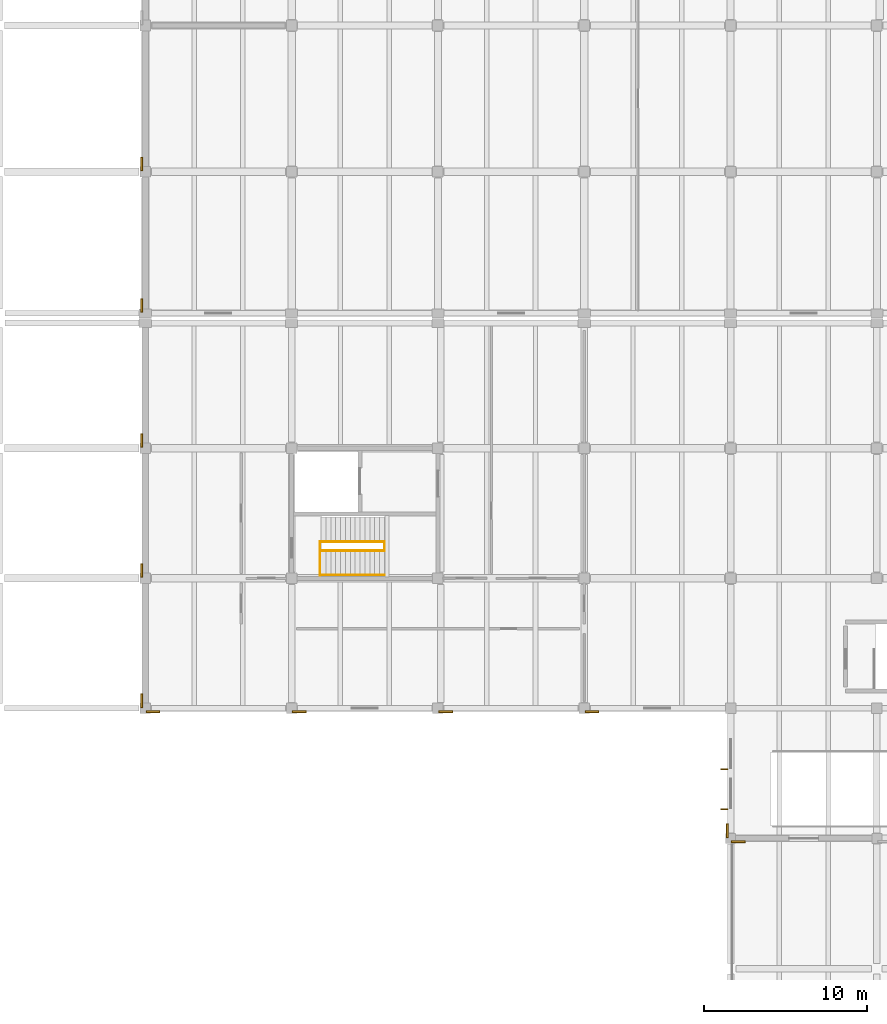
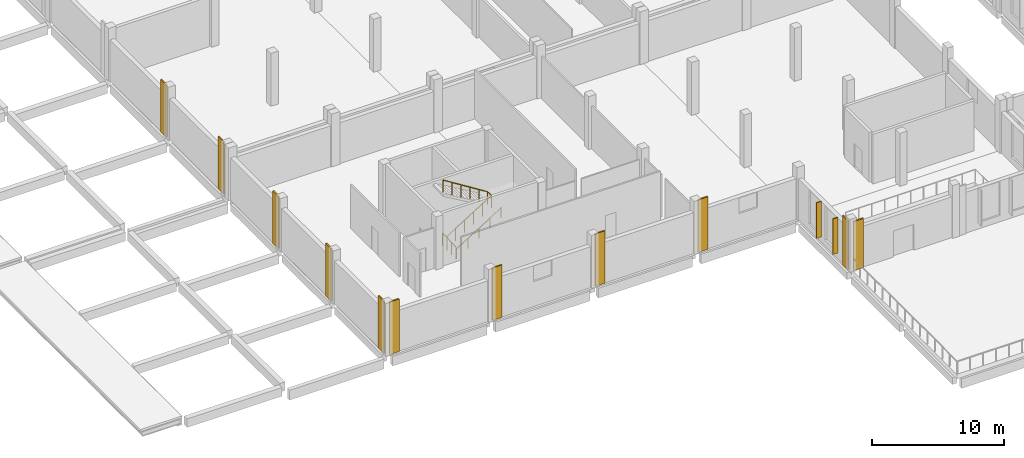
# One storey, part 96 of 110: 11 coverings, 5 railings, 2 shading devices.
"""IFC4 building model written with IfcOpenShell, lengths in metres."""

from ifc_helpers import new_model, si_unit, direction, frame, origin, origin_2d, place, context, subcontext, project, spatial, rectangle, circle, extrude, material, layer, layer_set, type_object, element, save


model = new_model("IFC4")

# Units and contexts
model_context = context("Model", 3, precision=1e-05, world=origin(), true_north=direction((0.0, 1.0)))
body_context = subcontext(model_context, "Body", "Model", "MODEL_VIEW")
ifc_project = project(units=[si_unit("LENGTHUNIT", "METRE"), si_unit("AREAUNIT", "SQUARE_METRE"), si_unit("VOLUMEUNIT", "CUBIC_METRE"), si_unit("PLANEANGLEUNIT", "RADIAN"), si_unit("MASSUNIT", "GRAM", prefix="KILO")], contexts=[model_context])

# Site, building, storey
site_placement = place(None, origin())
site = spatial("IfcSite", under=ifc_project, at=site_placement, CompositionType="ELEMENT")
building_placement = place(site_placement, origin())
building = spatial("IfcBuilding", under=site, at=building_placement, Name="Zacnel Wholesale Market", CompositionType="ELEMENT")
storey_placement = place(building_placement, frame((0.0, 0.0, 6.300048828125)))
storey = spatial("IfcBuildingStorey", under=building, at=storey_placement, Name="L02", CompositionType="ELEMENT", Elevation=6.300048828125)

# Coverings
ifc_material_1 = material(Name="Honed Yucatan Maya cream limestone", Category="masonry")
ifc_layer = layer(ifc_material_1, 0.090087890625)
ifc_layer_set = layer_set([ifc_layer], Name="Honed Yucatan Maya cream limestone")
covering_type = type_object("IfcCoveringType", Name="COV-CLAD-FRET", PredefinedType="CLADDING", material=ifc_layer_set)
for number, where, z_axis, x_axis, name in (
    (1, (18.47998046875, 23.7900390625, 0.02001953125), (0.0, 0.0, 1.0), (1.0, 0.0, 0.0), "Fluted Mayan-Deco limestone pilaster L02-0084"),
    (2, (27.47998046875, 23.7900390625, 0.02001953125), (0.0, 0.0, 1.0), (1.0, 0.0, 0.0), "Fluted Mayan-Deco limestone pilaster L02-0085"),
    (3, (36.47998046875, 23.7900390625, 0.02001953125), (0.0, 0.0, 1.0), (1.0, 0.0, 0.0), "Fluted Mayan-Deco limestone pilaster L02-0086"),
    (4, (45.47998046875, 23.7900390625, 0.02001953125), (0.0, 0.0, 1.0), (1.0, 0.0, 0.0), "Fluted Mayan-Deco limestone pilaster L02-0087"),
    (5, (17.7900390625, 24.47998046875, 0.02001953125), (0.0, 0.0, 1.0), (0.0, 1.0, 0.0), "Fluted Mayan-Deco limestone pilaster L02-0088"),
    (6, (17.7900390625, 32.47998046875, 0.02001953125), (0.0, 0.0, 1.0), (0.0, 1.0, 0.0), "Fluted Mayan-Deco limestone pilaster L02-0089"),
    (7, (17.7900390625, 40.47998046875, 0.02001953125), (0.0, 0.0, 1.0), (0.0, 1.0, 0.0), "Fluted Mayan-Deco limestone pilaster L02-0090"),
    (8, (17.7900390625, 48.780029296875, 0.02001953125), (0.0, 0.0, 1.0), (0.0, 1.0, 0.0), "Fluted Mayan-Deco limestone pilaster L02-0091"),
    (9, (17.7900390625, 57.47998046875, 0.02001953125), (0.0, 0.0, 1.0), (0.0, 1.0, 0.0), "Fluted Mayan-Deco limestone pilaster L02-0092"),
):
    element("IfcCovering", number, at=place(storey_placement, frame(where, z_axis=z_axis, x_axis=x_axis)), inside=storey, type_object=covering_type, Name=name, PredefinedType="CLADDING", context=body_context, shape_type="SweptSolid", body=[
        extrude(rectangle(XDim=0.85009765625, YDim=0.1201171875, at=origin_2d()), origin(), (0.0, 0.0, 1.0), 4.860107421875),
    ])
for number, where, z_axis, x_axis, name in (
    (10, (54.47998046875, 15.7900390625, 0.02001953125), (0.0, 0.0, 1.0), (1.0, 0.0, 0.0), "Fluted Mayan-Deco limestone pilaster L02-0106"),
    (11, (53.7900390625, 16.47998046875, 0.02001953125), (0.0, 0.0, 1.0), (0.0, 1.0, 0.0), "Fluted Mayan-Deco limestone pilaster L02-0108"),
):
    element("IfcCovering", number, at=place(storey_placement, frame(where, z_axis=z_axis, x_axis=x_axis)), inside=storey, type_object=covering_type, Name=name, PredefinedType="CLADDING", context=body_context, shape_type="SweptSolid", body=[
        extrude(rectangle(XDim=0.85009765625, YDim=0.1201171875, at=origin_2d()), origin(), (0.0, 0.0, 1.0), 4.56005859375),
    ])

# Railings
ifc_material_2 = material(Name="Galvanized steel", Category="steel")
railing_type_1 = type_object("IfcRailingType", Name="RAL-HANDRAIL-920", PredefinedType="HANDRAIL", material=ifc_material_2)
railing_1_placement = place(storey_placement, frame((28.81005859375, 32.2099609375, 0.0)))
element("IfcRailing", 12, at=railing_1_placement, inside=storey, type_object=railing_type_1, Name="Stair ST-08 wall handrail", PredefinedType="HANDRAIL", context=body_context, shape_type="SweptSolid", body=[
    extrude(circle(Radius=0.02099609375, at=origin_2d()), frame((0.0, 0.0, 0.89892578125), z_axis=(0.846775046443, 0.0, 0.531951145052), x_axis=(0.0, 1.0, 0.0)), (0.0, 0.0, 1.0), 4.605712890625),
    extrude(circle(Radius=0.01806640625, at=origin_2d()), origin(), (0.0, 0.0, 1.0), 0.8779296875),
    extrude(circle(Radius=0.01806640625, at=origin_2d()), frame((0.97509765625, 0.0, 0.612548828125)), (0.0, 0.0, 1.0), 0.8779296875),
    extrude(circle(Radius=0.01806640625, at=origin_2d()), frame((1.949951171875, 0.0, 1.22509765625)), (0.0, 0.0, 1.0), 0.8779296875),
    extrude(circle(Radius=0.01806640625, at=origin_2d()), frame((2.9248046875, 0.0, 1.83740234375)), (0.0, 0.0, 1.0), 0.8779296875),
    extrude(circle(Radius=0.01806640625, at=origin_2d()), frame((3.89990234375, 0.0, 2.449951171875)), (0.0, 0.0, 1.0), 0.8779296875),
])
ifc_material_3 = material(Name="Galvanized steel", Category="steel")
railing_type_2 = type_object("IfcRailingType", Name="RAL-STAIR-GD1150", PredefinedType="BALUSTRADE", material=ifc_material_3)
railing_2_placement = place(storey_placement, frame((28.75, 32.18994140625, 0.0)))
element("IfcRailing", 13, at=railing_2_placement, inside=storey, type_object=railing_type_2, Name="Stair balustrade INT-STAIR-ST-07-GDWELL-1", PredefinedType="BALUSTRADE", context=body_context, shape_type="SweptSolid", body=[
    extrude(circle(Radius=0.02392578125, at=origin_2d()), frame((0.0, 0.0, 1.1259765625), z_axis=(0.0, 1.0, 0.0), x_axis=(-1.0, 0.0, 0.0)), (0.0, 0.0, 1.0), 2.06005859375),
    extrude(circle(Radius=0.02099609375, at=origin_2d()), origin(), (0.0, 0.0, 1.0), 1.101806640625),
    extrude(circle(Radius=0.02099609375, at=origin_2d()), frame((0.0, 0.686767578125, 0.0)), (0.0, 0.0, 1.0), 1.101806640625),
    extrude(circle(Radius=0.02099609375, at=origin_2d()), frame((0.0, 1.373291015625, 0.0)), (0.0, 0.0, 1.0), 1.101806640625),
    extrude(circle(Radius=0.02099609375, at=origin_2d()), frame((0.0, 2.06005859375, 0.0)), (0.0, 0.0, 1.0), 1.101806640625),
])
railing_3_placement = place(storey_placement, frame((28.81005859375, 33.699951171875, 0.0)))
element("IfcRailing", 14, at=railing_3_placement, inside=storey, type_object=railing_type_2, Name="Stair balustrade INT-STAIR-ST-08-GDIN-1", PredefinedType="BALUSTRADE", context=body_context, shape_type="SweptSolid", body=[
    extrude(circle(Radius=0.02392578125, at=origin_2d()), frame((0.0, 0.0, 1.1259765625), z_axis=(0.846775046443, 0.0, 0.531951145052), x_axis=(0.0, 1.0, 0.0)), (0.0, 0.0, 1.0), 4.605712890625),
    extrude(circle(Radius=0.02099609375, at=origin_2d()), origin(), (0.0, 0.0, 1.0), 1.101806640625),
    extrude(circle(Radius=0.02099609375, at=origin_2d()), frame((0.780029296875, 0.0, 0.489990234375)), (0.0, 0.0, 1.0), 1.101806640625),
    extrude(circle(Radius=0.02099609375, at=origin_2d()), frame((1.56005859375, 0.0, 0.97998046875)), (0.0, 0.0, 1.0), 1.101806640625),
    extrude(circle(Radius=0.02099609375, at=origin_2d()), frame((2.33984375, 0.0, 1.469970703125)), (0.0, 0.0, 1.0), 1.101806640625),
    extrude(circle(Radius=0.02099609375, at=origin_2d()), frame((3.119873046875, 0.0, 1.9599609375)), (0.0, 0.0, 1.0), 1.101806640625),
    extrude(circle(Radius=0.02099609375, at=origin_2d()), frame((3.89990234375, 0.0, 2.449951171875)), (0.0, 0.0, 1.0), 1.101806640625),
])
railing_4_placement = place(storey_placement, frame((32.7099609375, 33.699951171875, 2.449951171875)))
element("IfcRailing", 15, at=railing_4_placement, inside=storey, type_object=railing_type_2, Name="Stair balustrade INT-STAIR-ST-08-GDIN-2", PredefinedType="BALUSTRADE", context=body_context, shape_type="SweptSolid", body=[
    extrude(circle(Radius=0.02392578125, at=origin_2d()), frame((0.0, 0.0, 1.1259765625), z_axis=(0.0, 1.0, 0.0), x_axis=(-1.0, 0.0, 0.0)), (0.0, 0.0, 1.0), 0.550048828125),
    extrude(circle(Radius=0.02099609375, at=origin_2d()), origin(), (0.0, 0.0, 1.0), 1.101806640625),
    extrude(circle(Radius=0.02099609375, at=origin_2d()), frame((0.0, 0.550048828125, 0.0)), (0.0, 0.0, 1.0), 1.101806640625),
])
railing_5_placement = place(storey_placement, frame((32.7099609375, 34.25, 2.449951171875)))
element("IfcRailing", 16, at=railing_5_placement, inside=storey, type_object=railing_type_2, Name="Stair balustrade INT-STAIR-ST-08-GDIN-3", PredefinedType="BALUSTRADE", context=body_context, shape_type="SweptSolid", body=[
    extrude(circle(Radius=0.02392578125, at=origin_2d()), frame((0.0, 0.0, 1.1259765625), z_axis=(-0.846775046443, 0.0, 0.531951145052), x_axis=(0.0, -1.0, 0.0)), (0.0, 0.0, 1.0), 4.605712890625),
    extrude(circle(Radius=0.02099609375, at=origin_2d()), origin(), (0.0, 0.0, 1.0), 1.101806640625),
    extrude(circle(Radius=0.02099609375, at=origin_2d()), frame((-0.780029296875, 0.0, 0.489990234375)), (0.0, 0.0, 1.0), 1.101806640625),
    extrude(circle(Radius=0.02099609375, at=origin_2d()), frame((-1.56005859375, 0.0, 0.97998046875)), (0.0, 0.0, 1.0), 1.101806640625),
    extrude(circle(Radius=0.02099609375, at=origin_2d()), frame((-2.33984375, 0.0, 1.469970703125)), (0.0, 0.0, 1.0), 1.101806640625),
    extrude(circle(Radius=0.02099609375, at=origin_2d()), frame((-3.119873046875, 0.0, 1.9599609375)), (0.0, 0.0, 1.0), 1.101806640625),
    extrude(circle(Radius=0.02099609375, at=origin_2d()), frame((-3.89990234375, 0.0, 2.449951171875)), (0.0, 0.0, 1.0), 1.101806640625),
])

# Shading devices
ifc_material_4 = material(Name="Honed Yucatan Maya cream limestone", Category="masonry")
shading_device_type = type_object("IfcShadingDeviceType", Name="SHD-FIN-V450", PredefinedType="USERDEFINED", material=ifc_material_4)
for number, where, z_axis, x_axis, name in (
    (17, (53.6201171875, 17.798095703125, 0.51513671875), (0.0, 0.0, 1.0), (0.0, 1.0, 0.0), "Limestone sunshade fin 0121"),
    (18, (53.6201171875, 20.257080078125, 0.51513671875), (0.0, 0.0, 1.0), (0.0, 1.0, 0.0), "Limestone sunshade fin 0122"),
):
    element("IfcShadingDevice", number, at=place(storey_placement, frame(where, z_axis=z_axis, x_axis=x_axis)), inside=storey, type_object=shading_device_type, Name=name, ObjectType="SUNSHADE", PredefinedType="USERDEFINED", context=body_context, shape_type="SweptSolid", body=[
        extrude(rectangle(XDim=0.080078125, YDim=0.43994140625, at=origin_2d()), origin(), (0.0, 0.0, 1.0), 3.300048828125),
    ])

save(model, "model.ifc")
